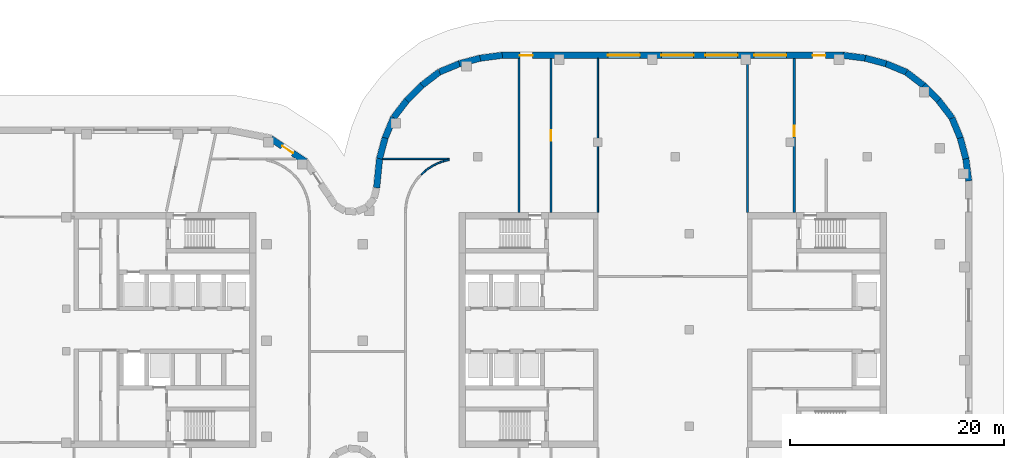
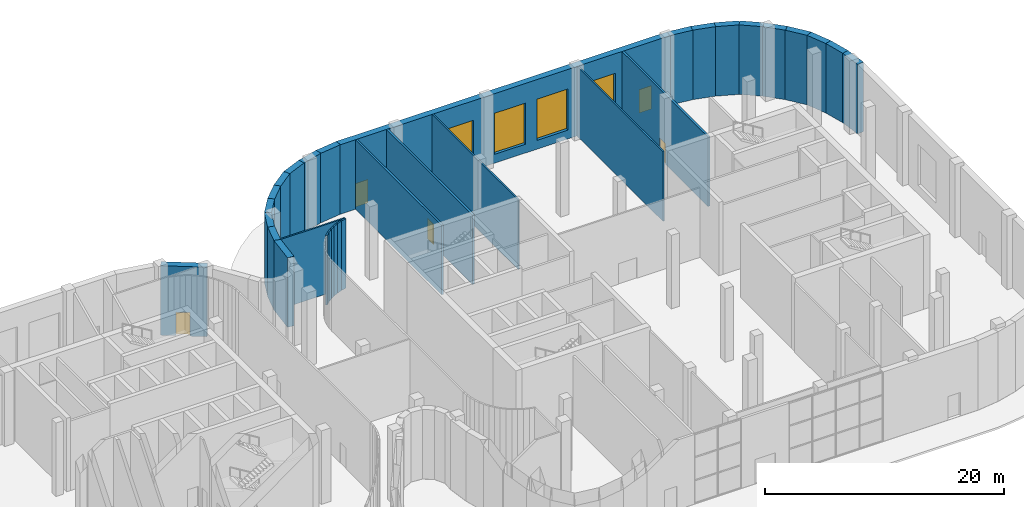
# One storey, part 24 of 30: 32 walls, 5 doors, 4 windows, 9 openings.
"""IFC4 building model written with IfcOpenShell, lengths in metres."""

from ifc_helpers import new_model, si_unit, direction, frame, frame_2d, origin, place, context, subcontext, project, spatial, rectangle, extrude, material, layer, layer_set, type_object, element, fill, save


model = new_model("IFC4")

# Units and contexts
model_context = context("Model", 3, precision=1e-05, world=origin(), true_north=direction((0.0, 1.0)))
body_context = subcontext(model_context, "Body", "Model", "MODEL_VIEW")
ifc_project = project(units=[si_unit("LENGTHUNIT", "METRE"), si_unit("AREAUNIT", "SQUARE_METRE"), si_unit("VOLUMEUNIT", "CUBIC_METRE"), si_unit("PLANEANGLEUNIT", "RADIAN"), si_unit("MASSUNIT", "GRAM", prefix="KILO")], contexts=[model_context])

# Site, building, storey
site_placement = place(None, origin())
site = spatial("IfcSite", under=ifc_project, at=site_placement, CompositionType="ELEMENT")
building_placement = place(site_placement, origin())
building = spatial("IfcBuilding", under=site, at=building_placement, Name="Skarvind Civic Tower", CompositionType="ELEMENT")
storey_placement = place(building_placement, origin())
storey = spatial("IfcBuildingStorey", under=building, at=storey_placement, Name="L00", CompositionType="ELEMENT", Elevation=0.0)

# Wall
ifc_material_1 = material(Name="Fire-rated blockwork wall, plastered", Category="masonry")
ifc_layer_1 = layer(ifc_material_1, 0.199951171875)
ifc_layer_set_1 = layer_set([ifc_layer_1], Name="FIRE WALL 200 EI 120")
wall_type_1 = type_object("IfcWallType", Name="FIRE WALL 200 EI 120", PredefinedType="PARTITIONING", material=ifc_layer_set_1)
wall_1_placement = place(storey_placement, frame((132.625, 139.0, 0.0), z_axis=(0.0, 0.0, 1.0), x_axis=(0.0, 1.0, 0.0)))
element("IfcWall", 1, at=wall_1_placement, inside=storey, type_object=wall_type_1, Name="Podium partition L00 204", PredefinedType="PARTITIONING", context=body_context, shape_type="SweptSolid", body=[
    extrude(rectangle(XDim=14.39990234375, YDim=0.199951171875, at=frame_2d((7.199951171875, 0.0))), origin(), (0.0, 0.0, 1.0), 7.10009765625),
])

# Wall, opening, door
wall_2_placement = place(storey_placement, frame((135.625, 153.39990234375, 0.0), z_axis=(0.0, 0.0, 1.0), x_axis=(0.0, -1.0, 0.0)))
wall_2 = element("IfcWall", 2, at=wall_2_placement, inside=storey, type_object=wall_type_1, Name="Podium partition L00 206", PredefinedType="PARTITIONING", context=body_context, shape_type="SweptSolid", body=[
    extrude(rectangle(XDim=14.39990234375, YDim=0.199951171875, at=frame_2d((7.199951171875, 0.0))), origin(), (0.0, 0.0, 1.0), 7.10009765625),
])
opening_1_placement = place(wall_2_placement, frame((6.699951171875, 0.0, 0.0)))
opening_1 = element("IfcOpeningElement", 3, at=opening_1_placement, cuts=wall_2, Name="Opening L00-D233", PredefinedType="OPENING", context=body_context, shape_type="SweptSolid", body=[
    extrude(rectangle(XDim=1.0, YDim=2.10009765625, at=frame_2d((0.5, 1.050048828125))), frame((0.0, 0.10986328125, 0.0), z_axis=(0.0, -1.0, 0.0), x_axis=(1.0, 0.0, 0.0)), (0.0, 0.0, 1.0), 0.219970703125),
])
ifc_material_2 = material(Name="Painted steel fire door leaf", Category="steel")
door_type_1 = type_object("IfcDoorType", Name="FIRE DOOR 1000X2100 STEEL", OperationType="NOTDEFINED", PredefinedType="DOOR", material=ifc_material_2)
door_1_placement = place(opening_1_placement, origin())
door_1 = element("IfcDoor", 4, at=door_1_placement, inside=storey, type_object=door_type_1, Name="FIRE DOOR", OperationType="SINGLE_SWING_LEFT", OverallHeight=2.10009765625, OverallWidth=1.0, PredefinedType="DOOR", context=body_context, shape_type="SweptSolid", body=[
    extrude(rectangle(XDim=1.0, YDim=2.10009765625, at=frame_2d((0.5, 1.050048828125))), frame((0.0, 0.02490234375, 0.0), z_axis=(0.0, -1.0, 0.0), x_axis=(1.0, 0.0, 0.0)), (0.0, 0.0, 1.0), 0.050048828125),
])
fill(opening_1, door_1)

wall_3_placement = place(storey_placement, frame((158.375, 139.0, 0.0), z_axis=(0.0, 0.0, 1.0), x_axis=(0.0, 1.0, 0.0)))
wall_3 = element("IfcWall", 5, at=wall_3_placement, inside=storey, type_object=wall_type_1, Name="Podium partition L00 214", PredefinedType="PARTITIONING", context=body_context, shape_type="SweptSolid", body=[
    extrude(rectangle(XDim=14.39990234375, YDim=0.199951171875, at=frame_2d((7.199951171875, 0.0))), origin(), (0.0, 0.0, 1.0), 7.10009765625),
])
opening_2_placement = place(wall_3_placement, frame((7.10009765625, 0.0, 0.0)))
opening_2 = element("IfcOpeningElement", 6, at=opening_2_placement, cuts=wall_3, Name="Opening L00-D236", PredefinedType="OPENING", context=body_context, shape_type="SweptSolid", body=[
    extrude(rectangle(XDim=1.0, YDim=2.10009765625, at=frame_2d((0.5, 1.050048828125))), frame((0.0, 0.10986328125, 0.0), z_axis=(0.0, -1.0, 0.0), x_axis=(1.0, 0.0, 0.0)), (0.0, 0.0, 1.0), 0.219970703125),
])
door_2_placement = place(opening_2_placement, origin())
door_2 = element("IfcDoor", 7, at=door_2_placement, inside=storey, type_object=door_type_1, Name="FIRE DOOR", OperationType="SINGLE_SWING_RIGHT", OverallHeight=2.10009765625, OverallWidth=1.0, PredefinedType="DOOR", context=body_context, shape_type="SweptSolid", body=[
    extrude(rectangle(XDim=1.0, YDim=2.10009765625, at=frame_2d((0.5, 1.050048828125))), frame((0.0, 0.02490234375, 0.0), z_axis=(0.0, -1.0, 0.0), x_axis=(1.0, 0.0, 0.0)), (0.0, 0.0, 1.0), 0.050048828125),
])
fill(opening_2, door_2)

# Walls
ifc_material_3 = material(Name="Plasterboard partition on steel studs", Category="steel")
ifc_layer_2 = layer(ifc_material_3, 0.14990234375)
ifc_layer_set_2 = layer_set([ifc_layer_2], Name="PARTITION 150")
wall_type_2 = type_object("IfcWallType", Name="PARTITION 150", PredefinedType="PARTITIONING", material=ifc_layer_set_2)
wall_4_placement = place(storey_placement, frame((119.875, 144.0, 0.0), z_axis=(0.0, 0.0, 1.0), x_axis=(1.0, 0.0, 0.0)))
element("IfcWall", 8, at=wall_4_placement, inside=storey, type_object=wall_type_2, Name="Podium partition L00 170", PredefinedType="PARTITIONING", context=body_context, shape_type="SweptSolid", body=[
    extrude(rectangle(XDim=6.199951171875, YDim=0.14990234375, at=frame_2d((3.10009765625, 0.0))), origin(), (0.0, 0.0, 1.0), 7.10009765625),
])
wall_5_placement = place(storey_placement, frame((123.4609375, 142.532958984375, 0.0), z_axis=(0.0, 0.0, 1.0), x_axis=(0.742416880587, 0.66993818776, 0.0)))
element("IfcWall", 9, at=wall_5_placement, inside=storey, type_object=wall_type_2, Name="Podium partition L00 190", PredefinedType="PARTITIONING", context=body_context, shape_type="SweptSolid", body=[
    extrude(rectangle(XDim=0.49853515625, YDim=0.14990234375, at=frame_2d((0.249267578125, 0.0))), origin(), (0.0, 0.0, 1.0), 7.10009765625),
])
wall_6_placement = place(storey_placement, frame((123.824951171875, 142.863037109375, 0.0), z_axis=(0.0, 0.0, 1.0), x_axis=(0.80404358372, 0.594570362092, 0.0)))
element("IfcWall", 10, at=wall_6_placement, inside=storey, type_object=wall_type_2, Name="Podium partition L00 192", PredefinedType="PARTITIONING", context=body_context, shape_type="SweptSolid", body=[
    extrude(rectangle(XDim=0.49755859375, YDim=0.14990234375, at=frame_2d((0.248779296875, 0.0))), origin(), (0.0, 0.0, 1.0), 7.10009765625),
])
wall_7_placement = place(storey_placement, frame((124.218994140625, 143.155029296875, 0.0), z_axis=(0.0, 0.0, 1.0), x_axis=(0.85671397893, 0.515791778052, 0.0)))
element("IfcWall", 11, at=wall_7_placement, inside=storey, type_object=wall_type_2, Name="Podium partition L00 194", PredefinedType="PARTITIONING", context=body_context, shape_type="SweptSolid", body=[
    extrude(rectangle(XDim=0.49853515625, YDim=0.14990234375, at=frame_2d((0.249267578125, 0.0))), origin(), (0.0, 0.0, 1.0), 7.10009765625),
])
for number, where, z_axis, x_axis, name in (
    (12, (124.639892578125, 143.407958984375, 0.0), (0.0, 0.0, 1.0), (0.903827641978, 0.427896709028, 0.0), "Podium partition L00 196"),
    (13, (125.083984375, 143.617919921875, 0.0), (0.0, 0.0, 1.0), (0.941442168887, 0.3371744988, 0.0), "Podium partition L00 198"),
):
    element("IfcWall", number, at=place(storey_placement, frame(where, z_axis=z_axis, x_axis=x_axis)), inside=storey, type_object=wall_type_2, Name=name, PredefinedType="PARTITIONING", context=body_context, shape_type="SweptSolid", body=[
        extrude(rectangle(XDim=0.498046875, YDim=0.14990234375, at=frame_2d((0.2490234375, 0.0))), origin(), (0.0, 0.0, 1.0), 7.10009765625),
    ])
wall_8_placement = place(storey_placement, frame((125.544921875, 143.783935546875, 0.0), z_axis=(0.0, 0.0, 1.0), x_axis=(0.970116111764, 0.242641154168, 0.0)))
element("IfcWall", 14, at=wall_8_placement, inside=storey, type_object=wall_type_2, Name="Podium partition L00 200", PredefinedType="PARTITIONING", context=body_context, shape_type="SweptSolid", body=[
    extrude(rectangle(XDim=0.54443359375, YDim=0.14990234375, at=frame_2d((0.272216796875, 0.0))), origin(), (0.0, 0.0, 1.0), 7.10009765625),
])
for number, where, z_axis, x_axis, name in (
    (15, (140.0, 139.0, 0.0), (0.0, 0.0, 1.0), (0.0, 1.0, 0.0), "Podium partition L00 210"),
    (16, (154.0, 139.0, 0.0), (0.0, 0.0, 1.0), (0.0, 1.0, 0.0), "Podium partition L00 212"),
):
    element("IfcWall", number, at=place(storey_placement, frame(where, z_axis=z_axis, x_axis=x_axis)), inside=storey, type_object=wall_type_2, Name=name, PredefinedType="PARTITIONING", context=body_context, shape_type="SweptSolid", body=[
        extrude(rectangle(XDim=14.39990234375, YDim=0.14990234375, at=frame_2d((7.199951171875, 0.0))), origin(), (0.0, 0.0, 1.0), 7.10009765625),
    ])
ifc_material_4 = material(Name="Limestone masonry cladding on insulated backing", Category="masonry")
ifc_layer_3 = layer(ifc_material_4, 0.60009765625)
ifc_layer_set_3 = layer_set([ifc_layer_3], Name="WX1 STONE FACADE WALL 600")
wall_type_3 = type_object("IfcWallType", Name="WX1 STONE FACADE WALL 600", PredefinedType="SOLIDWALL", material=ifc_layer_set_3)
wall_9_placement = place(storey_placement, frame((174.42431640625, 144.052490234375, 0.0), z_axis=(0.0, 0.0, 1.0), x_axis=(0.130558200013, -0.991440646942, 0.0)))
element("IfcWall", 17, at=wall_9_placement, inside=storey, type_object=wall_type_3, Name="STONE FACADE WALL", PredefinedType="SOLIDWALL", context=body_context, shape_type="SweptSolid", body=[
    extrude(rectangle(XDim=2.1318359375, YDim=0.60009765625, at=frame_2d((1.06591796875, 0.0))), origin(), (0.0, 0.0, 1.0), 7.10009765625),
])
wall_10_placement = place(storey_placement, frame((173.908447265625, 145.967529296875, 0.0), z_axis=(0.0, 0.0, 1.0), x_axis=(0.258804467146, -0.965929732323, 0.0)))
element("IfcWall", 18, at=wall_10_placement, inside=storey, type_object=wall_type_3, Name="STONE FACADE WALL", PredefinedType="SOLIDWALL", context=body_context, shape_type="SweptSolid", body=[
    extrude(rectangle(XDim=2.0224609375, YDim=0.60009765625, at=frame_2d((1.01123046875, 0.0))), origin(), (0.0, 0.0, 1.0), 7.10009765625),
])
wall_11_placement = place(storey_placement, frame((173.1396484375, 147.8193359375, 0.0), z_axis=(0.0, 0.0, 1.0), x_axis=(0.382341242798, -0.924021197839, 0.0)))
element("IfcWall", 19, at=wall_11_placement, inside=storey, type_object=wall_type_3, Name="STONE FACADE WALL", PredefinedType="SOLIDWALL", context=body_context, shape_type="SweptSolid", body=[
    extrude(rectangle(XDim=2.0439453125, YDim=0.60009765625, at=frame_2d((1.02197265625, 0.0))), origin(), (0.0, 0.0, 1.0), 7.10009765625),
])
wall_12_placement = place(storey_placement, frame((171.864501953125, 149.49267578125, 0.0), z_axis=(0.0, 0.0, 1.0), x_axis=(0.609052002567, -0.79313029079, 0.0)))
element("IfcWall", 20, at=wall_12_placement, inside=storey, type_object=wall_type_3, Name="STONE FACADE WALL", PredefinedType="SOLIDWALL", context=body_context, shape_type="SweptSolid", body=[
    extrude(rectangle(XDim=2.114013671875, YDim=0.60009765625, at=frame_2d((1.05712890625, 0.0))), origin(), (0.0, 0.0, 1.0), 7.10009765625),
])
wall_13_placement = place(storey_placement, frame((170.463134765625, 150.890380859375, 0.0), z_axis=(0.0, 0.0, 1.0), x_axis=(0.707106781187, -0.707106781187, 0.0)))
element("IfcWall", 21, at=wall_13_placement, inside=storey, type_object=wall_type_3, Name="STONE FACADE WALL", PredefinedType="SOLIDWALL", context=body_context, shape_type="SweptSolid", body=[
    extrude(rectangle(XDim=2.018310546875, YDim=0.60009765625, at=frame_2d((1.00927734375, 0.0))), origin(), (0.0, 0.0, 1.0), 7.10009765625),
])
wall_14_placement = place(storey_placement, frame((168.87158203125, 152.109375, 0.0), z_axis=(0.0, 0.0, 1.0), x_axis=(0.793125485267, -0.609058260448, 0.0)))
element("IfcWall", 22, at=wall_14_placement, inside=storey, type_object=wall_type_3, Name="STONE FACADE WALL", PredefinedType="SOLIDWALL", context=body_context, shape_type="SweptSolid", body=[
    extrude(rectangle(XDim=2.0439453125, YDim=0.60009765625, at=frame_2d((1.02197265625, 0.0))), origin(), (0.0, 0.0, 1.0), 7.10009765625),
])
wall_15_placement = place(storey_placement, frame((166.9306640625, 152.921142578125, 0.0), z_axis=(0.0, 0.0, 1.0), x_axis=(0.924006983526, -0.382375593358, 0.0)))
element("IfcWall", 23, at=wall_15_placement, inside=storey, type_object=wall_type_3, Name="STONE FACADE WALL", PredefinedType="SOLIDWALL", context=body_context, shape_type="SweptSolid", body=[
    extrude(rectangle(XDim=2.114013671875, YDim=0.60009765625, at=frame_2d((1.05712890625, 0.0))), origin(), (0.0, 0.0, 1.0), 7.10009765625),
])
wall_16_placement = place(storey_placement, frame((165.013916015625, 153.431884765625, 0.0), z_axis=(0.0, 0.0, 1.0), x_axis=(0.965929732323, -0.258804467146, 0.0)))
element("IfcWall", 24, at=wall_16_placement, inside=storey, type_object=wall_type_3, Name="STONE FACADE WALL", PredefinedType="SOLIDWALL", context=body_context, shape_type="SweptSolid", body=[
    extrude(rectangle(XDim=2.0224609375, YDim=0.60009765625, at=frame_2d((1.01123046875, 0.0))), origin(), (0.0, 0.0, 1.0), 7.10009765625),
])
for number, where, z_axis, x_axis, name in (
    (25, (162.93896484375, 153.70263671875, 0.0), (0.0, 0.0, 1.0), (0.991440646942, -0.130558200013, 0.0), "STONE FACADE WALL"),
    (26, (128.947509765625, 153.42431640625, 0.0), (0.0, 0.0, 1.0), (0.991440646942, 0.130558200013, 0.0), "STONE FACADE WALL"),
):
    element("IfcWall", number, at=place(storey_placement, frame(where, z_axis=z_axis, x_axis=x_axis)), inside=storey, type_object=wall_type_3, Name=name, PredefinedType="SOLIDWALL", context=body_context, shape_type="SweptSolid", body=[
        extrude(rectangle(XDim=2.1318359375, YDim=0.60009765625, at=frame_2d((1.06591796875, 0.0))), origin(), (0.0, 0.0, 1.0), 7.10009765625),
    ])
wall_17_placement = place(storey_placement, frame((127.032470703125, 152.908447265625, 0.0), z_axis=(0.0, 0.0, 1.0), x_axis=(0.965929732323, 0.258804467146, 0.0)))
element("IfcWall", 27, at=wall_17_placement, inside=storey, type_object=wall_type_3, Name="STONE FACADE WALL", PredefinedType="SOLIDWALL", context=body_context, shape_type="SweptSolid", body=[
    extrude(rectangle(XDim=2.0224609375, YDim=0.60009765625, at=frame_2d((1.01123046875, 0.0))), origin(), (0.0, 0.0, 1.0), 7.10009765625),
])
wall_18_placement = place(storey_placement, frame((125.1806640625, 152.1396484375, 0.0), z_axis=(0.0, 0.0, 1.0), x_axis=(0.924021197839, 0.382341242798, 0.0)))
element("IfcWall", 28, at=wall_18_placement, inside=storey, type_object=wall_type_3, Name="STONE FACADE WALL", PredefinedType="SOLIDWALL", context=body_context, shape_type="SweptSolid", body=[
    extrude(rectangle(XDim=2.0439453125, YDim=0.60009765625, at=frame_2d((1.02197265625, 0.0))), origin(), (0.0, 0.0, 1.0), 7.10009765625),
])
wall_19_placement = place(storey_placement, frame((123.50732421875, 150.864501953125, 0.0), z_axis=(0.0, 0.0, 1.0), x_axis=(0.79313029079, 0.609052002567, 0.0)))
element("IfcWall", 29, at=wall_19_placement, inside=storey, type_object=wall_type_3, Name="STONE FACADE WALL", PredefinedType="SOLIDWALL", context=body_context, shape_type="SweptSolid", body=[
    extrude(rectangle(XDim=2.114013671875, YDim=0.60009765625, at=frame_2d((1.05712890625, 0.0))), origin(), (0.0, 0.0, 1.0), 7.10009765625),
])
wall_20_placement = place(storey_placement, frame((122.109619140625, 149.463134765625, 0.0), z_axis=(0.0, 0.0, 1.0), x_axis=(0.707106781187, 0.707106781187, 0.0)))
element("IfcWall", 30, at=wall_20_placement, inside=storey, type_object=wall_type_3, Name="STONE FACADE WALL", PredefinedType="SOLIDWALL", context=body_context, shape_type="SweptSolid", body=[
    extrude(rectangle(XDim=2.018310546875, YDim=0.60009765625, at=frame_2d((1.00927734375, 0.0))), origin(), (0.0, 0.0, 1.0), 7.10009765625),
])
wall_21_placement = place(storey_placement, frame((120.890625, 147.87158203125, 0.0), z_axis=(0.0, 0.0, 1.0), x_axis=(0.609058260448, 0.793125485267, 0.0)))
element("IfcWall", 31, at=wall_21_placement, inside=storey, type_object=wall_type_3, Name="STONE FACADE WALL", PredefinedType="SOLIDWALL", context=body_context, shape_type="SweptSolid", body=[
    extrude(rectangle(XDim=2.0439453125, YDim=0.60009765625, at=frame_2d((1.02197265625, 0.0))), origin(), (0.0, 0.0, 1.0), 7.10009765625),
])
wall_22_placement = place(storey_placement, frame((120.078857421875, 145.9306640625, 0.0), z_axis=(0.0, 0.0, 1.0), x_axis=(0.382375593358, 0.924006983526, 0.0)))
element("IfcWall", 32, at=wall_22_placement, inside=storey, type_object=wall_type_3, Name="STONE FACADE WALL", PredefinedType="SOLIDWALL", context=body_context, shape_type="SweptSolid", body=[
    extrude(rectangle(XDim=2.114013671875, YDim=0.60009765625, at=frame_2d((1.05712890625, 0.0))), origin(), (0.0, 0.0, 1.0), 7.10009765625),
])
wall_23_placement = place(storey_placement, frame((119.570556640625, 144.023681640625, 0.0), z_axis=(0.0, 0.0, 1.0), x_axis=(0.25888565912, 0.965907974655, 0.0)))
element("IfcWall", 33, at=wall_23_placement, inside=storey, type_object=wall_type_3, Name="STONE FACADE WALL", PredefinedType="SOLIDWALL", context=body_context, shape_type="SweptSolid", body=[
    extrude(rectangle(XDim=2.012451171875, YDim=0.60009765625, at=frame_2d((1.00634765625, 0.0))), origin(), (0.0, 0.0, 1.0), 7.10009765625),
])
wall_24_placement = place(storey_placement, frame((119.298583984375, 141.298095703125, 0.0), z_axis=(0.0, 0.0, 1.0), x_axis=(0.100121632527, 0.994975205068, 0.0)))
element("IfcWall", 34, at=wall_24_placement, inside=storey, type_object=wall_type_3, Name="STONE FACADE WALL", PredefinedType="SOLIDWALL", context=body_context, shape_type="SweptSolid", body=[
    extrude(rectangle(XDim=2.77734375, YDim=0.60009765625, at=frame_2d((1.388671875, 0.0))), origin(), (0.0, 0.0, 1.0), 7.10009765625),
])

# Wall, openings, doors, windows
ifc_layer_4 = layer(ifc_material_4, 0.60009765625)
ifc_layer_set_4 = layer_set([ifc_layer_4], Name="WX1F FIRE-RATED STONE FACADE WALL 600")
wall_type_4 = type_object("IfcWallType", Name="WX1F FIRE-RATED STONE FACADE WALL 600", PredefinedType="SOLIDWALL", material=ifc_layer_set_4)
wall_25_placement = place(storey_placement, frame((131.021728515625, 153.699951171875, 0.0), z_axis=(0.0, 0.0, 1.0), x_axis=(1.0, 0.0, 0.0)))
wall_25 = element("IfcWall", 35, at=wall_25_placement, inside=storey, type_object=wall_type_4, Name="STONE FACADE WALL", PredefinedType="SOLIDWALL", context=body_context, shape_type="SweptSolid", body=[
    extrude(rectangle(XDim=31.95654296875, YDim=0.60009765625, at=frame_2d((15.978271484375, 0.0))), origin(), (0.0, 0.0, 1.0), 7.10009765625),
])
opening_3_placement = place(wall_25_placement, frame((1.6826171875, 0.0, 0.0)))
opening_3 = element("IfcOpeningElement", 36, at=opening_3_placement, cuts=wall_25, Name="Opening DX2", PredefinedType="OPENING", context=body_context, shape_type="SweptSolid", body=[
    extrude(rectangle(XDim=1.199951171875, YDim=2.39990234375, at=frame_2d((0.60009765625, 1.199951171875))), frame((0.0, 0.31005859375, 0.0), z_axis=(0.0, -1.0, 0.0), x_axis=(1.0, 0.0, 0.0)), (0.0, 0.0, 1.0), 0.6201171875),
])
opening_4_placement = place(wall_25_placement, frame((9.9130859375, 0.0, 0.89990234375)))
opening_4 = element("IfcOpeningElement", 37, at=opening_4_placement, cuts=wall_25, Name="Opening WN3", PredefinedType="OPENING", context=body_context, shape_type="SweptSolid", body=[
    extrude(rectangle(XDim=3.0, YDim=4.199951171875, at=frame_2d((1.5, 2.10009765625))), frame((0.0, 0.31005859375, 0.0), z_axis=(0.0, -1.0, 0.0), x_axis=(1.0, 0.0, 0.0)), (0.0, 0.0, 1.0), 0.6201171875),
])
opening_5_placement = place(wall_25_placement, frame((14.92822265625, 0.0, 0.89990234375)))
opening_5 = element("IfcOpeningElement", 38, at=opening_5_placement, cuts=wall_25, Name="Opening WN3", PredefinedType="OPENING", context=body_context, shape_type="SweptSolid", body=[
    extrude(rectangle(XDim=3.0, YDim=4.199951171875, at=frame_2d((1.5, 2.10009765625))), frame((0.0, 0.31005859375, 0.0), z_axis=(0.0, -1.0, 0.0), x_axis=(1.0, 0.0, 0.0)), (0.0, 0.0, 1.0), 0.6201171875),
])
opening_6_placement = place(wall_25_placement, frame((19.04345703125, 0.0, 0.89990234375)))
opening_6 = element("IfcOpeningElement", 39, at=opening_6_placement, cuts=wall_25, Name="Opening WN3", PredefinedType="OPENING", context=body_context, shape_type="SweptSolid", body=[
    extrude(rectangle(XDim=3.0, YDim=4.199951171875, at=frame_2d((1.5, 2.10009765625))), frame((0.0, 0.31005859375, 0.0), z_axis=(0.0, -1.0, 0.0), x_axis=(1.0, 0.0, 0.0)), (0.0, 0.0, 1.0), 0.6201171875),
])
opening_7_placement = place(wall_25_placement, frame((23.608642578125, 0.0, 0.89990234375)))
opening_7 = element("IfcOpeningElement", 40, at=opening_7_placement, cuts=wall_25, Name="Opening WN3", PredefinedType="OPENING", context=body_context, shape_type="SweptSolid", body=[
    extrude(rectangle(XDim=3.0, YDim=4.199951171875, at=frame_2d((1.5, 2.10009765625))), frame((0.0, 0.31005859375, 0.0), z_axis=(0.0, -1.0, 0.0), x_axis=(1.0, 0.0, 0.0)), (0.0, 0.0, 1.0), 0.6201171875),
])
opening_8_placement = place(wall_25_placement, frame((29.07373046875, 0.0, 0.0)))
opening_8 = element("IfcOpeningElement", 41, at=opening_8_placement, cuts=wall_25, Name="Opening DX2", PredefinedType="OPENING", context=body_context, shape_type="SweptSolid", body=[
    extrude(rectangle(XDim=1.199951171875, YDim=2.39990234375, at=frame_2d((0.60009765625, 1.199951171875))), frame((0.0, 0.31005859375, 0.0), z_axis=(0.0, -1.0, 0.0), x_axis=(1.0, 0.0, 0.0)), (0.0, 0.0, 1.0), 0.6201171875),
])
ifc_material_5 = material(Name="Timber and glass doorset", Category="wood")
door_type_2 = type_object("IfcDoorType", Name="DX2 EXIT DOOR 1200 x 2400", OperationType="NOTDEFINED", PredefinedType="DOOR", material=ifc_material_5)
door_3_placement = place(opening_3_placement, origin())
door_3 = element("IfcDoor", 42, at=door_3_placement, inside=storey, type_object=door_type_2, Name="EXIT DOOR", OperationType="SINGLE_SWING_LEFT", OverallHeight=2.39990234375, OverallWidth=1.199951171875, PredefinedType="DOOR", context=body_context, shape_type="SweptSolid", body=[
    extrude(rectangle(XDim=1.199951171875, YDim=2.39990234375, at=frame_2d((0.60009765625, 1.199951171875))), frame((0.0, 0.02490234375, 0.0), z_axis=(0.0, -1.0, 0.0), x_axis=(1.0, 0.0, 0.0)), (0.0, 0.0, 1.0), 0.050048828125),
])
fill(opening_3, door_3)
door_4_placement = place(opening_8_placement, origin())
door_4 = element("IfcDoor", 43, at=door_4_placement, inside=storey, type_object=door_type_2, Name="EXIT DOOR", OperationType="SINGLE_SWING_RIGHT", OverallHeight=2.39990234375, OverallWidth=1.199951171875, PredefinedType="DOOR", context=body_context, shape_type="SweptSolid", body=[
    extrude(rectangle(XDim=1.199951171875, YDim=2.39990234375, at=frame_2d((0.60009765625, 1.199951171875))), frame((0.0, 0.02490234375, 0.0), z_axis=(0.0, -1.0, 0.0), x_axis=(1.0, 0.0, 0.0)), (0.0, 0.0, 1.0), 0.050048828125),
])
fill(opening_8, door_4)
ifc_material_6 = material(Name="Timber frame, double glazing, timber-lined reveal", Category="wood")
window_type = type_object("IfcWindowType", Name="WN3 GROUND STOREY STONE WINDOW 3000 x 4200", PartitioningType="SINGLE_PANEL", PredefinedType="WINDOW", material=ifc_material_6)
window_1_placement = place(opening_4_placement, origin())
window_1 = element("IfcWindow", 44, at=window_1_placement, inside=storey, type_object=window_type, Name="WN3 WINDOW", OverallHeight=4.199951171875, OverallWidth=3.0, PartitioningType="SINGLE_PANEL", PredefinedType="WINDOW", context=body_context, shape_type="SweptSolid", body=[
    extrude(rectangle(XDim=3.0, YDim=4.199951171875, at=frame_2d((1.5, 2.10009765625))), frame((0.0, 0.030029296875, 0.0), z_axis=(0.0, -1.0, 0.0), x_axis=(1.0, 0.0, 0.0)), (0.0, 0.0, 1.0), 0.06005859375),
])
fill(opening_4, window_1)
window_2_placement = place(opening_5_placement, origin())
window_2 = element("IfcWindow", 45, at=window_2_placement, inside=storey, type_object=window_type, Name="WN3 WINDOW", OverallHeight=4.199951171875, OverallWidth=3.0, PartitioningType="SINGLE_PANEL", PredefinedType="WINDOW", context=body_context, shape_type="SweptSolid", body=[
    extrude(rectangle(XDim=3.0, YDim=4.199951171875, at=frame_2d((1.5, 2.10009765625))), frame((0.0, 0.030029296875, 0.0), z_axis=(0.0, -1.0, 0.0), x_axis=(1.0, 0.0, 0.0)), (0.0, 0.0, 1.0), 0.06005859375),
])
fill(opening_5, window_2)
window_3_placement = place(opening_6_placement, origin())
window_3 = element("IfcWindow", 46, at=window_3_placement, inside=storey, type_object=window_type, Name="WN3 WINDOW", OverallHeight=4.199951171875, OverallWidth=3.0, PartitioningType="SINGLE_PANEL", PredefinedType="WINDOW", context=body_context, shape_type="SweptSolid", body=[
    extrude(rectangle(XDim=3.0, YDim=4.199951171875, at=frame_2d((1.5, 2.10009765625))), frame((0.0, 0.030029296875, 0.0), z_axis=(0.0, -1.0, 0.0), x_axis=(1.0, 0.0, 0.0)), (0.0, 0.0, 1.0), 0.06005859375),
])
fill(opening_6, window_3)
window_4_placement = place(opening_7_placement, origin())
window_4 = element("IfcWindow", 47, at=window_4_placement, inside=storey, type_object=window_type, Name="WN3 WINDOW", OverallHeight=4.199951171875, OverallWidth=3.0, PartitioningType="SINGLE_PANEL", PredefinedType="WINDOW", context=body_context, shape_type="SweptSolid", body=[
    extrude(rectangle(XDim=3.0, YDim=4.199951171875, at=frame_2d((1.5, 2.10009765625))), frame((0.0, 0.030029296875, 0.0), z_axis=(0.0, -1.0, 0.0), x_axis=(1.0, 0.0, 0.0)), (0.0, 0.0, 1.0), 0.06005859375),
])
fill(opening_7, window_4)

# Wall, opening, door
wall_26_placement = place(storey_placement, frame((109.4013671875, 145.899658203125, 0.0), z_axis=(0.0, 0.0, 1.0), x_axis=(0.835543958523, -0.549423601037, 0.0)))
wall_26 = element("IfcWall", 48, at=wall_26_placement, inside=storey, type_object=wall_type_4, Name="STONE FACADE WALL", PredefinedType="SOLIDWALL", context=body_context, shape_type="SweptSolid", body=[
    extrude(rectangle(XDim=3.905517578125, YDim=0.60009765625, at=frame_2d((1.95263671875, 0.0))), origin(), (0.0, 0.0, 1.0), 7.10009765625),
])
opening_9_placement = place(wall_26_placement, frame((1.28271484375, 0.0, 0.0)))
opening_9 = element("IfcOpeningElement", 49, at=opening_9_placement, cuts=wall_26, Name="Opening DX2", PredefinedType="OPENING", context=body_context, shape_type="SweptSolid", body=[
    extrude(rectangle(XDim=1.199951171875, YDim=2.39990234375, at=frame_2d((0.60009765625, 1.199951171875))), frame((0.0, 0.31005859375, 0.0), z_axis=(0.0, -1.0, 0.0), x_axis=(1.0, 0.0, 0.0)), (0.0, 0.0, 1.0), 0.6201171875),
])
door_5_placement = place(opening_9_placement, origin())
door_5 = element("IfcDoor", 50, at=door_5_placement, inside=storey, type_object=door_type_2, Name="EXIT DOOR", OperationType="SINGLE_SWING_RIGHT", OverallHeight=2.39990234375, OverallWidth=1.199951171875, PredefinedType="DOOR", context=body_context, shape_type="SweptSolid", body=[
    extrude(rectangle(XDim=1.199951171875, YDim=2.39990234375, at=frame_2d((0.60009765625, 1.199951171875))), frame((0.0, 0.02490234375, 0.0), z_axis=(0.0, -1.0, 0.0), x_axis=(1.0, 0.0, 0.0)), (0.0, 0.0, 1.0), 0.050048828125),
])
fill(opening_9, door_5)

save(model, "model.ifc")
